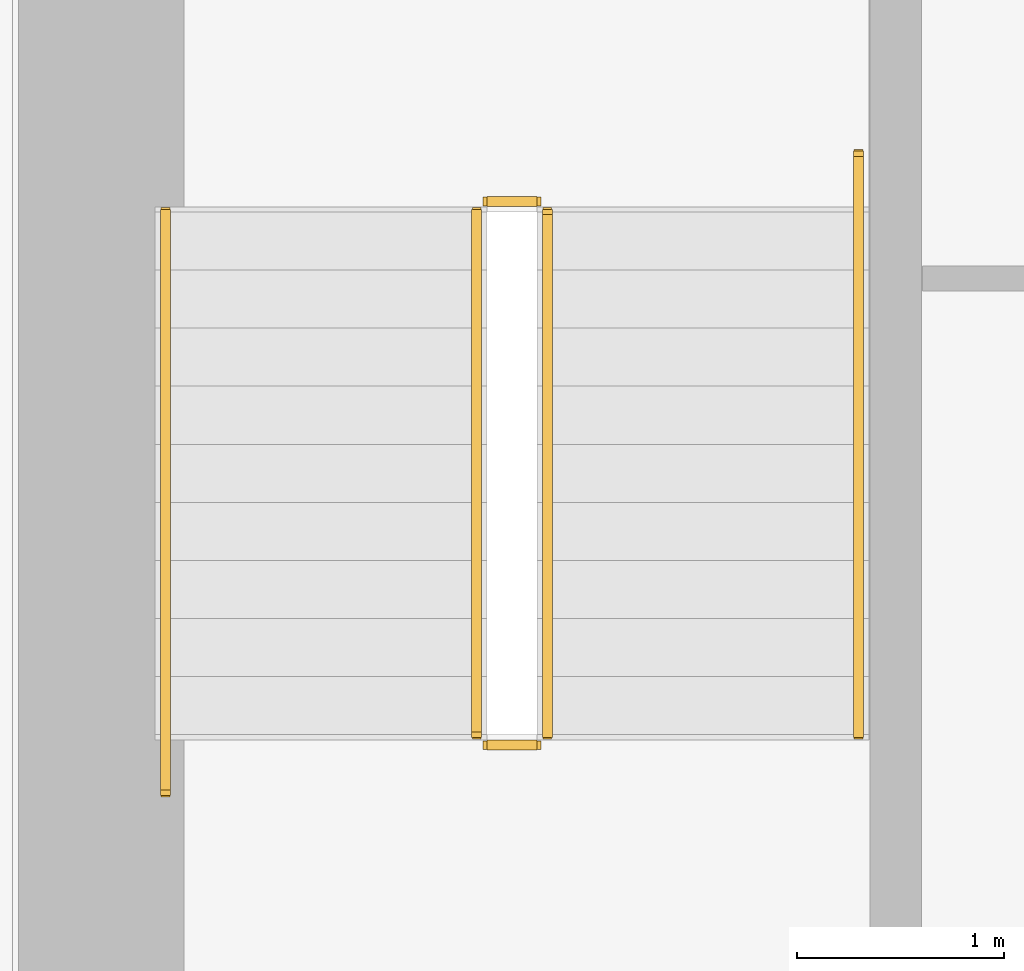
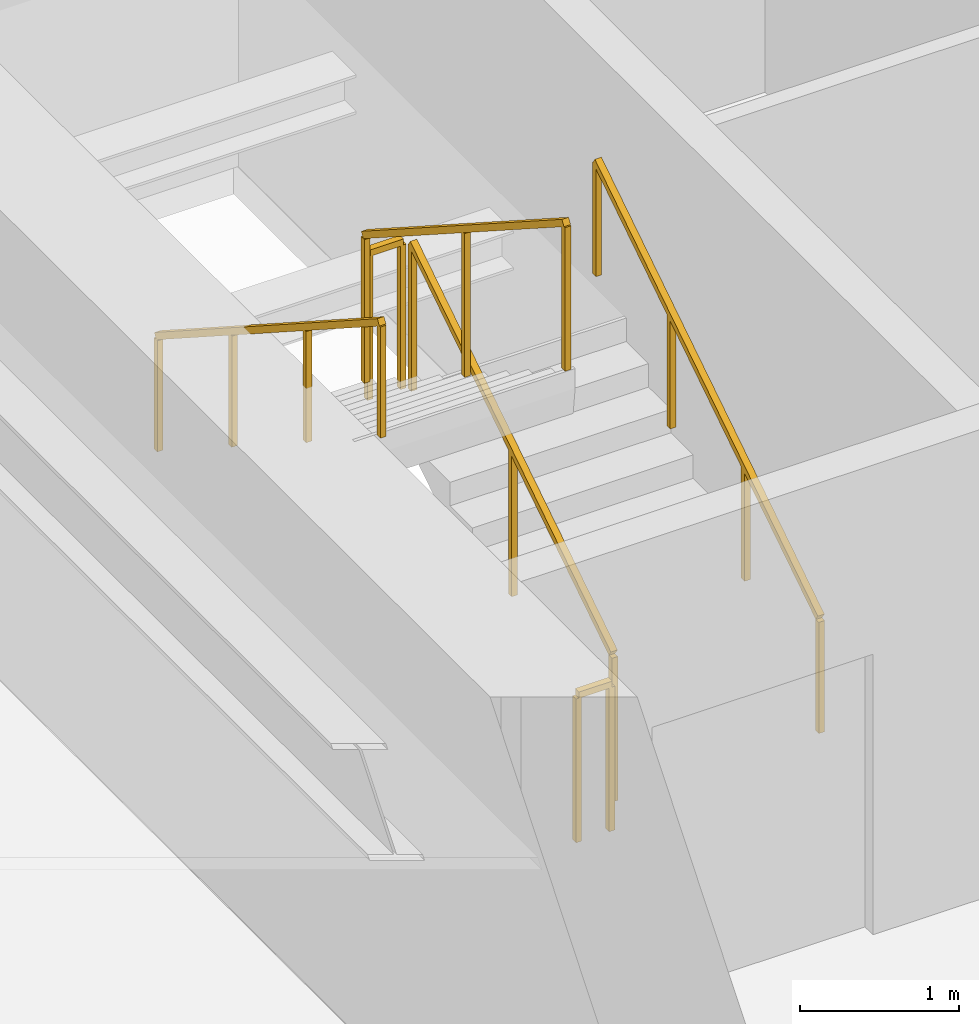
# One storey, part 31 of 34: 6 railings.
"""IFC4 building model written with IfcOpenShell, lengths in metres."""

from ifc_helpers import new_model, si_unit, direction, frame, origin, origin_2d, place, context, subcontext, project, spatial, rectangle, extrude, material, type_object, element, save


model = new_model("IFC4")

# Units and contexts
model_context = context("Model", 3, precision=1e-05, world=origin(), true_north=direction((0.0, 1.0)))
body_context = subcontext(model_context, "Body", "Model", "MODEL_VIEW")
ifc_project = project(units=[si_unit("LENGTHUNIT", "METRE"), si_unit("AREAUNIT", "SQUARE_METRE"), si_unit("VOLUMEUNIT", "CUBIC_METRE"), si_unit("PLANEANGLEUNIT", "RADIAN"), si_unit("MASSUNIT", "GRAM", prefix="KILO")], contexts=[model_context])

# Site, building, storey
site_placement = place(None, origin())
site = spatial("IfcSite", under=ifc_project, at=site_placement, CompositionType="ELEMENT")
building_placement = place(site_placement, origin())
building = spatial("IfcBuilding", under=site, at=building_placement, Name="Sumidabori Civic Tower", CompositionType="ELEMENT")
storey_placement = place(building_placement, frame((0.0, 0.0, 56.0)))
storey = spatial("IfcBuildingStorey", under=building, at=storey_placement, Name="L14", CompositionType="ELEMENT", Elevation=56.0)

# Railings
ifc_material_1 = material(Name="Stainless Steel Hairline Finish", Category="steel")
railing_type_1 = type_object("IfcRailingType", Name="RL-HANDRAIL", PredefinedType="HANDRAIL", material=ifc_material_1)
railing_1_placement = place(storey_placement, frame((-11.949951171875, 16.0, 0.179931640625)))
element("IfcRailing", 1, at=railing_1_placement, inside=storey, type_object=railing_type_1, Name="L14 ST-1 stair handrail 1", PredefinedType="HANDRAIL", context=body_context, shape_type="SweptSolid", body=[
    extrude(rectangle(XDim=0.048095703125, YDim=0.048095703125, at=origin_2d()), frame((0.0, 0.0, 0.8759765625), z_axis=(0.0, 0.84064222762, 0.54159084662), x_axis=(-1.0, 0.0, 0.0)), (0.0, 0.0, 1.0), 3.330810546875),
    extrude(rectangle(XDim=0.0419921875, YDim=0.0419921875, at=origin_2d()), origin(), (0.0, 0.0, 1.0), 0.851806640625),
    extrude(rectangle(XDim=0.0419921875, YDim=0.0419921875, at=origin_2d()), frame((0.0, 0.933349609375, 0.601318359375)), (0.0, 0.0, 1.0), 0.851806640625),
    extrude(rectangle(XDim=0.0419921875, YDim=0.0419921875, at=origin_2d()), frame((0.0, 1.86669921875, 1.20263671875)), (0.0, 0.0, 1.0), 0.851806640625),
    extrude(rectangle(XDim=0.0419921875, YDim=0.0419921875, at=origin_2d()), frame((0.0, 2.800048828125, 1.803955078125)), (0.0, 0.0, 1.0), 0.851806640625),
])
railing_2_placement = place(storey_placement, frame((-15.2900390625, 18.52001953125, 1.97998046875)))
element("IfcRailing", 2, at=railing_2_placement, inside=storey, type_object=railing_type_1, Name="L14 ST-1 stair handrail 2", PredefinedType="HANDRAIL", context=body_context, shape_type="SweptSolid", body=[
    extrude(rectangle(XDim=0.048095703125, YDim=0.048095703125, at=origin_2d()), frame((0.0, 0.0, 0.8759765625), z_axis=(0.0, -0.840675598268, 0.541539046124), x_axis=(1.0, 0.0, 0.0)), (0.0, 0.0, 1.0), 3.330810546875),
    extrude(rectangle(XDim=0.0419921875, YDim=0.0419921875, at=origin_2d()), origin(), (0.0, 0.0, 1.0), 0.851806640625),
    extrude(rectangle(XDim=0.0419921875, YDim=0.0419921875, at=origin_2d()), frame((0.0, -0.933349609375, 0.601318359375)), (0.0, 0.0, 1.0), 0.851806640625),
    extrude(rectangle(XDim=0.0419921875, YDim=0.0419921875, at=origin_2d()), frame((0.0, -1.86669921875, 1.202392578125)), (0.0, 0.0, 1.0), 0.851806640625),
    extrude(rectangle(XDim=0.0419921875, YDim=0.0419921875, at=origin_2d()), frame((0.0, -2.800048828125, 1.8037109375)), (0.0, 0.0, 1.0), 0.851806640625),
])
ifc_material_2 = material(Name="Steel SN490", Category="steel")
railing_type_2 = type_object("IfcRailingType", Name="RL-STAIR-GUARD", PredefinedType="GUARDRAIL", material=ifc_material_2)
railing_3_placement = place(storey_placement, frame((-13.449951171875, 16.0, 0.179931640625)))
element("IfcRailing", 3, at=railing_3_placement, inside=storey, type_object=railing_type_2, Name="L14 ST-1 stair guard 1", PredefinedType="GUARDRAIL", context=body_context, shape_type="SweptSolid", body=[
    extrude(rectangle(XDim=0.048095703125, YDim=0.048095703125, at=origin_2d()), frame((0.0, 0.0, 1.1259765625), z_axis=(0.0, 0.841162588446, 0.540782303519), x_axis=(-1.0, 0.0, 0.0)), (0.0, 0.0, 1.0), 2.995849609375),
    extrude(rectangle(XDim=0.0419921875, YDim=0.0419921875, at=origin_2d()), origin(), (0.0, 0.0, 1.0), 1.101806640625),
    extrude(rectangle(XDim=0.0419921875, YDim=0.0419921875, at=origin_2d()), frame((0.0, 1.260009765625, 0.81005859375)), (0.0, 0.0, 1.0), 1.101806640625),
    extrude(rectangle(XDim=0.0419921875, YDim=0.0419921875, at=origin_2d()), frame((0.0, 2.52001953125, 1.6201171875)), (0.0, 0.0, 1.0), 1.101806640625),
])
railing_4_placement = place(storey_placement, frame((-13.5, 18.570068359375, 1.800048828125)))
element("IfcRailing", 4, at=railing_4_placement, inside=storey, type_object=railing_type_2, Name="L14 ST-1 stair guard 2", PredefinedType="GUARDRAIL", context=body_context, shape_type="SweptSolid", body=[
    extrude(rectangle(XDim=0.048095703125, YDim=0.048095703125, at=origin_2d()), frame((0.0, 0.0, 1.1259765625), z_axis=(-1.0, 0.0, 0.0), x_axis=(0.0, -1.0, 0.0)), (0.0, 0.0, 1.0), 0.239990234375),
    extrude(rectangle(XDim=0.0419921875, YDim=0.0419921875, at=origin_2d()), origin(), (0.0, 0.0, 1.0), 1.101806640625),
    extrude(rectangle(XDim=0.0419921875, YDim=0.0419921875, at=origin_2d()), frame((-0.239990234375, 0.0, 0.0)), (0.0, 0.0, 1.0), 1.101806640625),
])
railing_5_placement = place(storey_placement, frame((-13.7900390625, 18.52001953125, 1.97998046875)))
element("IfcRailing", 5, at=railing_5_placement, inside=storey, type_object=railing_type_2, Name="L14 ST-1 stair guard 3", PredefinedType="GUARDRAIL", context=body_context, shape_type="SweptSolid", body=[
    extrude(rectangle(XDim=0.048095703125, YDim=0.048095703125, at=origin_2d()), frame((0.0, 0.0, 1.1259765625), z_axis=(0.0, -0.841162588446, 0.540782303519), x_axis=(1.0, 0.0, 0.0)), (0.0, 0.0, 1.0), 2.995849609375),
    extrude(rectangle(XDim=0.0419921875, YDim=0.0419921875, at=origin_2d()), origin(), (0.0, 0.0, 1.0), 1.101806640625),
    extrude(rectangle(XDim=0.0419921875, YDim=0.0419921875, at=origin_2d()), frame((0.0, -1.260009765625, 0.81005859375)), (0.0, 0.0, 1.0), 1.101806640625),
    extrude(rectangle(XDim=0.0419921875, YDim=0.0419921875, at=origin_2d()), frame((0.0, -2.52001953125, 1.6201171875)), (0.0, 0.0, 1.0), 1.101806640625),
])
railing_6_placement = place(storey_placement, frame((-13.5, 15.949951171875, 0.0)))
element("IfcRailing", 6, at=railing_6_placement, inside=storey, type_object=railing_type_2, Name="L14 ST-1 stair guard 4", PredefinedType="GUARDRAIL", context=body_context, shape_type="SweptSolid", body=[
    extrude(rectangle(XDim=0.048095703125, YDim=0.048095703125, at=origin_2d()), frame((0.0, 0.0, 1.1259765625), z_axis=(-1.0, 0.0, 0.0), x_axis=(0.0, -1.0, 0.0)), (0.0, 0.0, 1.0), 0.239990234375),
    extrude(rectangle(XDim=0.0419921875, YDim=0.0419921875, at=origin_2d()), origin(), (0.0, 0.0, 1.0), 1.101806640625),
    extrude(rectangle(XDim=0.0419921875, YDim=0.0419921875, at=origin_2d()), frame((-0.239990234375, 0.0, 0.0)), (0.0, 0.0, 1.0), 1.101806640625),
])

save(model, "model.ifc")
